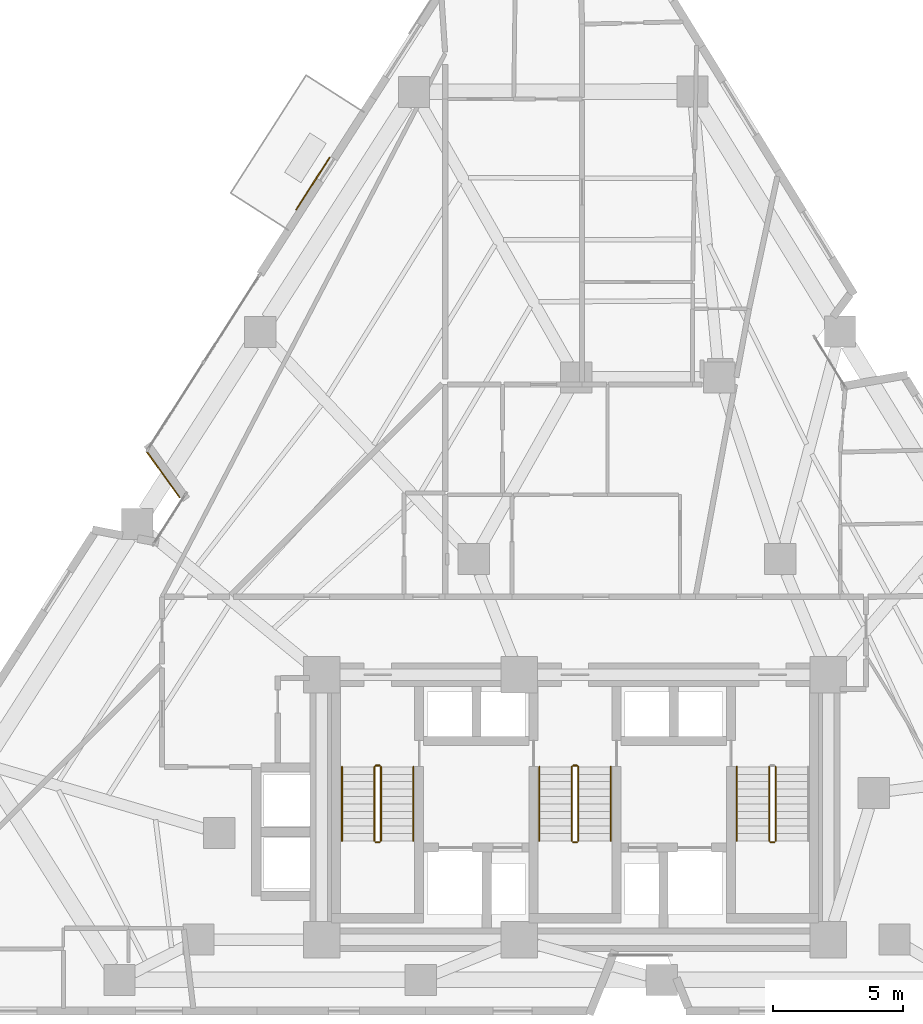
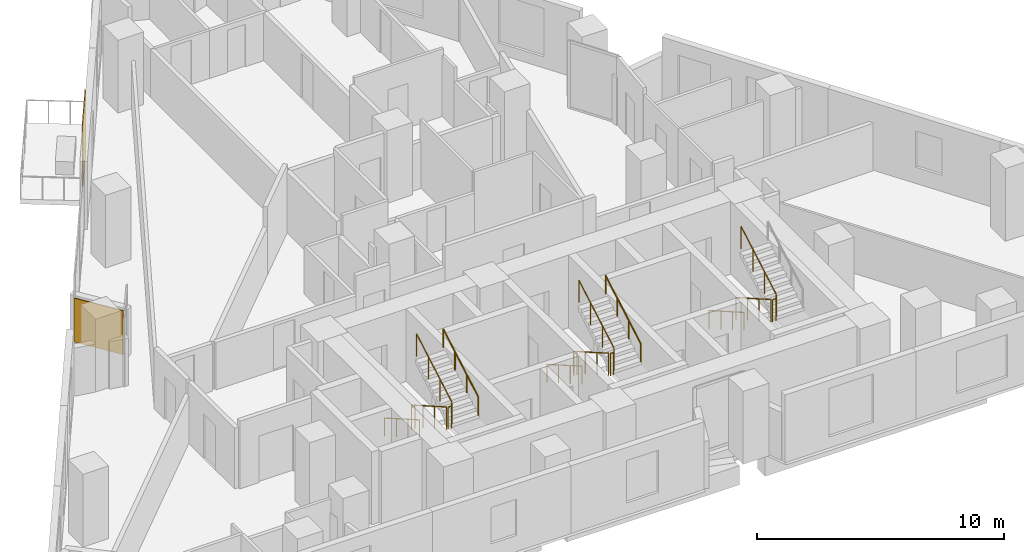
# One storey, part 11 of 13: 16 railings, 2 coverings.
"""IFC4 building model written with IfcOpenShell, lengths in metres."""

from ifc_helpers import new_model, si_unit, direction, frame, origin, origin_2d, place, context, subcontext, project, spatial, rectangle, circle, extrude, material, layer, layer_set, type_object, element, save


model = new_model("IFC4")

# Units and contexts
model_context = context("Model", 3, precision=1e-05, world=origin(), true_north=direction((0.0, 1.0)))
body_context = subcontext(model_context, "Body", "Model", "MODEL_VIEW")
ifc_project = project(units=[si_unit("LENGTHUNIT", "METRE"), si_unit("AREAUNIT", "SQUARE_METRE"), si_unit("VOLUMEUNIT", "CUBIC_METRE"), si_unit("PLANEANGLEUNIT", "RADIAN"), si_unit("MASSUNIT", "GRAM", prefix="KILO")], contexts=[model_context])

# Site, building, storey
site_placement = place(None, origin())
site = spatial("IfcSite", under=ifc_project, at=site_placement, CompositionType="ELEMENT")
building_placement = place(site_placement, origin())
building = spatial("IfcBuilding", under=site, at=building_placement, Name="Almagre Mirador Tower", CompositionType="ELEMENT")
storey_placement = place(building_placement, frame((0.0, 0.0, 78.60009765625)))
storey = spatial("IfcBuildingStorey", under=building, at=storey_placement, Name="L19", CompositionType="ELEMENT", Elevation=78.60009765625)

# Coverings
ifc_material_1 = material(Name="Almagre terracotta architectural cladding", Category="masonry")
ifc_layer = layer(ifc_material_1, 0.044921875)
ifc_layer_set = layer_set([ifc_layer], Name="Almagre terracotta architectural cladding")
covering_type = type_object("IfcCoveringType", Name="COV-CLAD-ALMAGRE", PredefinedType="CLADDING", material=ifc_layer_set)
covering_1_placement = place(storey_placement, frame((21.4404296875, 22.4638671875, 0.10009765625), z_axis=(0.0, 0.0, 1.0), x_axis=(-0.583186817535, 0.812338067466, 0.0)))
element("IfcCovering", 1, at=covering_1_placement, inside=storey, type_object=covering_type, Name="L19 almagre terracotta pier cladding", PredefinedType="CLADDING", context=body_context, shape_type="SweptSolid", body=[
    extrude(rectangle(XDim=2.193115234375, YDim=0.044921875, at=origin_2d()), origin(), (0.0, 0.0, 1.0), 2.175048828125),
])
covering_2_placement = place(storey_placement, frame((27.205322265625, 33.656005859375, 0.099853515625), z_axis=(0.0, 0.0, 1.0), x_axis=(0.53944697543, 0.842019572635, 0.0)))
element("IfcCovering", 2, at=covering_2_placement, inside=storey, type_object=covering_type, Name="L19 almagre terracotta pier cladding", PredefinedType="CLADDING", context=body_context, shape_type="SweptSolid", body=[
    extrude(rectangle(XDim=2.39990234375, YDim=0.044921875, at=origin_2d()), origin(), (0.0, 0.0, 1.0), 3.14990234375),
])

# Railings
ifc_material_2 = material(Name="Painted galvanized steel", Category="steel")
railing_type_1 = type_object("IfcRailingType", Name="RLG-GRD-1100", PredefinedType="GUARDRAIL", material=ifc_material_2)
railing_1_placement = place(storey_placement, frame((29.574951171875, 11.199951171875, 0.16357421875)))
element("IfcRailing", 3, at=railing_1_placement, inside=storey, type_object=railing_type_1, Name="L19 ST-1 stair guard 1", PredefinedType="GUARDRAIL", context=body_context, shape_type="SweptSolid", body=[
    extrude(circle(Radius=0.02392578125, at=origin_2d()), frame((0.0, 0.0, 1.09619140625), z_axis=(0.0, -0.867226363773, 0.497914082927), x_axis=(1.0, 0.0, 0.0)), (0.0, 0.0, 1.0), 3.2861328125),
    extrude(circle(Radius=0.02099609375, at=origin_2d()), origin(), (0.0, 0.0, 1.0), 1.072021484375),
    extrude(circle(Radius=0.02099609375, at=origin_2d()), frame((0.0, -0.949951171875, 0.54541015625)), (0.0, 0.0, 1.0), 1.072021484375),
    extrude(circle(Radius=0.02099609375, at=origin_2d()), frame((0.0, -1.89990234375, 1.0908203125)), (0.0, 0.0, 1.0), 1.072021484375),
    extrude(circle(Radius=0.02099609375, at=origin_2d()), frame((0.0, -2.849853515625, 1.63623046875)), (0.0, 0.0, 1.0), 1.072021484375),
])
railing_2_placement = place(storey_placement, frame((29.625, 8.300048828125, 1.7998046875)))
element("IfcRailing", 4, at=railing_2_placement, inside=storey, type_object=railing_type_1, Name="L19 ST-1 stair guard 2", PredefinedType="GUARDRAIL", context=body_context, shape_type="SweptSolid", body=[
    extrude(circle(Radius=0.02392578125, at=origin_2d()), frame((0.0, 0.0, 1.09619140625), z_axis=(1.0, 0.0, 0.0), x_axis=(0.0, 1.0, 0.0)), (0.0, 0.0, 1.0), 0.14990234375),
    extrude(circle(Radius=0.02099609375, at=origin_2d()), origin(), (0.0, 0.0, 1.0), 1.072021484375),
    extrude(circle(Radius=0.02099609375, at=origin_2d()), frame((0.14990234375, 0.0, 0.0)), (0.0, 0.0, 1.0), 1.072021484375),
])
railing_3_placement = place(storey_placement, frame((29.824951171875, 8.35009765625, 1.963623046875)))
element("IfcRailing", 5, at=railing_3_placement, inside=storey, type_object=railing_type_1, Name="L19 ST-1 stair guard 3", PredefinedType="GUARDRAIL", context=body_context, shape_type="SweptSolid", body=[
    extrude(circle(Radius=0.02392578125, at=origin_2d()), frame((0.0, 0.0, 1.09619140625), z_axis=(0.0, 0.867226363773, 0.497914082927), x_axis=(-1.0, 0.0, 0.0)), (0.0, 0.0, 1.0), 3.2861328125),
    extrude(circle(Radius=0.02099609375, at=origin_2d()), origin(), (0.0, 0.0, 1.0), 1.072021484375),
    extrude(circle(Radius=0.02099609375, at=origin_2d()), frame((0.0, 0.949951171875, 0.54541015625)), (0.0, 0.0, 1.0), 1.072021484375),
    extrude(circle(Radius=0.02099609375, at=origin_2d()), frame((0.0, 1.89990234375, 1.0908203125)), (0.0, 0.0, 1.0), 1.072021484375),
    extrude(circle(Radius=0.02099609375, at=origin_2d()), frame((0.0, 2.849853515625, 1.63623046875)), (0.0, 0.0, 1.0), 1.072021484375),
])
railing_4_placement = place(storey_placement, frame((29.625, 11.25, 0.0)))
element("IfcRailing", 6, at=railing_4_placement, inside=storey, type_object=railing_type_1, Name="L19 ST-1 stair guard 4", PredefinedType="GUARDRAIL", context=body_context, shape_type="SweptSolid", body=[
    extrude(circle(Radius=0.02392578125, at=origin_2d()), frame((0.0, 0.0, 1.09619140625), z_axis=(1.0, 0.0, 0.0), x_axis=(0.0, 1.0, 0.0)), (0.0, 0.0, 1.0), 0.14990234375),
    extrude(circle(Radius=0.02099609375, at=origin_2d()), origin(), (0.0, 0.0, 1.0), 1.072021484375),
    extrude(circle(Radius=0.02099609375, at=origin_2d()), frame((0.14990234375, 0.0, 0.0)), (0.0, 0.0, 1.0), 1.072021484375),
])
railing_5_placement = place(storey_placement, frame((37.175048828125, 11.199951171875, 0.16357421875)))
element("IfcRailing", 7, at=railing_5_placement, inside=storey, type_object=railing_type_1, Name="L19 ST-2 stair guard 1", PredefinedType="GUARDRAIL", context=body_context, shape_type="SweptSolid", body=[
    extrude(circle(Radius=0.02392578125, at=origin_2d()), frame((0.0, 0.0, 1.09619140625), z_axis=(0.0, -0.867226363773, 0.497914082927), x_axis=(1.0, 0.0, 0.0)), (0.0, 0.0, 1.0), 3.2861328125),
    extrude(circle(Radius=0.02099609375, at=origin_2d()), origin(), (0.0, 0.0, 1.0), 1.072021484375),
    extrude(circle(Radius=0.02099609375, at=origin_2d()), frame((0.0, -0.949951171875, 0.54541015625)), (0.0, 0.0, 1.0), 1.072021484375),
    extrude(circle(Radius=0.02099609375, at=origin_2d()), frame((0.0, -1.89990234375, 1.0908203125)), (0.0, 0.0, 1.0), 1.072021484375),
    extrude(circle(Radius=0.02099609375, at=origin_2d()), frame((0.0, -2.849853515625, 1.63623046875)), (0.0, 0.0, 1.0), 1.072021484375),
])
railing_6_placement = place(storey_placement, frame((37.22509765625, 8.300048828125, 1.7998046875)))
element("IfcRailing", 8, at=railing_6_placement, inside=storey, type_object=railing_type_1, Name="L19 ST-2 stair guard 2", PredefinedType="GUARDRAIL", context=body_context, shape_type="SweptSolid", body=[
    extrude(circle(Radius=0.02392578125, at=origin_2d()), frame((0.0, 0.0, 1.09619140625), z_axis=(1.0, 0.0, 0.0), x_axis=(0.0, 1.0, 0.0)), (0.0, 0.0, 1.0), 0.14990234375),
    extrude(circle(Radius=0.02099609375, at=origin_2d()), origin(), (0.0, 0.0, 1.0), 1.072021484375),
    extrude(circle(Radius=0.02099609375, at=origin_2d()), frame((0.14990234375, 0.0, 0.0)), (0.0, 0.0, 1.0), 1.072021484375),
])
railing_7_placement = place(storey_placement, frame((37.425048828125, 8.35009765625, 1.963623046875)))
element("IfcRailing", 9, at=railing_7_placement, inside=storey, type_object=railing_type_1, Name="L19 ST-2 stair guard 3", PredefinedType="GUARDRAIL", context=body_context, shape_type="SweptSolid", body=[
    extrude(circle(Radius=0.02392578125, at=origin_2d()), frame((0.0, 0.0, 1.09619140625), z_axis=(0.0, 0.867226363773, 0.497914082927), x_axis=(-1.0, 0.0, 0.0)), (0.0, 0.0, 1.0), 3.2861328125),
    extrude(circle(Radius=0.02099609375, at=origin_2d()), origin(), (0.0, 0.0, 1.0), 1.072021484375),
    extrude(circle(Radius=0.02099609375, at=origin_2d()), frame((0.0, 0.949951171875, 0.54541015625)), (0.0, 0.0, 1.0), 1.072021484375),
    extrude(circle(Radius=0.02099609375, at=origin_2d()), frame((0.0, 1.89990234375, 1.0908203125)), (0.0, 0.0, 1.0), 1.072021484375),
    extrude(circle(Radius=0.02099609375, at=origin_2d()), frame((0.0, 2.849853515625, 1.63623046875)), (0.0, 0.0, 1.0), 1.072021484375),
])
railing_8_placement = place(storey_placement, frame((37.22509765625, 11.25, 0.0)))
element("IfcRailing", 10, at=railing_8_placement, inside=storey, type_object=railing_type_1, Name="L19 ST-2 stair guard 4", PredefinedType="GUARDRAIL", context=body_context, shape_type="SweptSolid", body=[
    extrude(circle(Radius=0.02392578125, at=origin_2d()), frame((0.0, 0.0, 1.09619140625), z_axis=(1.0, 0.0, 0.0), x_axis=(0.0, 1.0, 0.0)), (0.0, 0.0, 1.0), 0.14990234375),
    extrude(circle(Radius=0.02099609375, at=origin_2d()), origin(), (0.0, 0.0, 1.0), 1.072021484375),
    extrude(circle(Radius=0.02099609375, at=origin_2d()), frame((0.14990234375, 0.0, 0.0)), (0.0, 0.0, 1.0), 1.072021484375),
])
railing_9_placement = place(storey_placement, frame((44.77490234375, 11.199951171875, 0.16357421875)))
element("IfcRailing", 11, at=railing_9_placement, inside=storey, type_object=railing_type_1, Name="L19 ST-3 stair guard 1", PredefinedType="GUARDRAIL", context=body_context, shape_type="SweptSolid", body=[
    extrude(circle(Radius=0.02392578125, at=origin_2d()), frame((0.0, 0.0, 1.09619140625), z_axis=(0.0, -0.867226363773, 0.497914082927), x_axis=(1.0, 0.0, 0.0)), (0.0, 0.0, 1.0), 3.2861328125),
    extrude(circle(Radius=0.02099609375, at=origin_2d()), origin(), (0.0, 0.0, 1.0), 1.072021484375),
    extrude(circle(Radius=0.02099609375, at=origin_2d()), frame((0.0, -0.949951171875, 0.54541015625)), (0.0, 0.0, 1.0), 1.072021484375),
    extrude(circle(Radius=0.02099609375, at=origin_2d()), frame((0.0, -1.89990234375, 1.0908203125)), (0.0, 0.0, 1.0), 1.072021484375),
    extrude(circle(Radius=0.02099609375, at=origin_2d()), frame((0.0, -2.849853515625, 1.63623046875)), (0.0, 0.0, 1.0), 1.072021484375),
])
railing_10_placement = place(storey_placement, frame((44.824951171875, 8.300048828125, 1.7998046875)))
element("IfcRailing", 12, at=railing_10_placement, inside=storey, type_object=railing_type_1, Name="L19 ST-3 stair guard 2", PredefinedType="GUARDRAIL", context=body_context, shape_type="SweptSolid", body=[
    extrude(circle(Radius=0.02392578125, at=origin_2d()), frame((0.0, 0.0, 1.09619140625), z_axis=(1.0, 0.0, 0.0), x_axis=(0.0, 1.0, 0.0)), (0.0, 0.0, 1.0), 0.150146484375),
    extrude(circle(Radius=0.02099609375, at=origin_2d()), origin(), (0.0, 0.0, 1.0), 1.072021484375),
    extrude(circle(Radius=0.02099609375, at=origin_2d()), frame((0.150146484375, 0.0, 0.0)), (0.0, 0.0, 1.0), 1.072021484375),
])
railing_11_placement = place(storey_placement, frame((45.02490234375, 8.35009765625, 1.963623046875)))
element("IfcRailing", 13, at=railing_11_placement, inside=storey, type_object=railing_type_1, Name="L19 ST-3 stair guard 3", PredefinedType="GUARDRAIL", context=body_context, shape_type="SweptSolid", body=[
    extrude(circle(Radius=0.02392578125, at=origin_2d()), frame((0.0, 0.0, 1.09619140625), z_axis=(0.0, 0.867226363773, 0.497914082927), x_axis=(-1.0, 0.0, 0.0)), (0.0, 0.0, 1.0), 3.2861328125),
    extrude(circle(Radius=0.02099609375, at=origin_2d()), origin(), (0.0, 0.0, 1.0), 1.072021484375),
    extrude(circle(Radius=0.02099609375, at=origin_2d()), frame((0.0, 0.949951171875, 0.54541015625)), (0.0, 0.0, 1.0), 1.072021484375),
    extrude(circle(Radius=0.02099609375, at=origin_2d()), frame((0.0, 1.89990234375, 1.0908203125)), (0.0, 0.0, 1.0), 1.072021484375),
    extrude(circle(Radius=0.02099609375, at=origin_2d()), frame((0.0, 2.849853515625, 1.63623046875)), (0.0, 0.0, 1.0), 1.072021484375),
])
ifc_material_3 = material(Name="Brushed stainless steel", Category="steel")
railing_type_2 = type_object("IfcRailingType", Name="RLG-HND-915", PredefinedType="HANDRAIL", material=ifc_material_3)
railing_12_placement = place(storey_placement, frame((28.324951171875, 11.199951171875, 0.16357421875)))
element("IfcRailing", 14, at=railing_12_placement, inside=storey, type_object=railing_type_2, Name="L19 ST-1 stair handrail 1", PredefinedType="HANDRAIL", context=body_context, shape_type="SweptSolid", body=[
    extrude(circle(Radius=0.02392578125, at=origin_2d()), frame((0.0, 0.0, 0.89111328125), z_axis=(0.0, -0.867226363773, 0.497914082927), x_axis=(1.0, 0.0, 0.0)), (0.0, 0.0, 1.0), 3.2861328125),
    extrude(circle(Radius=0.02099609375, at=origin_2d()), origin(), (0.0, 0.0, 1.0), 0.866943359375),
    extrude(circle(Radius=0.02099609375, at=origin_2d()), frame((0.0, -0.949951171875, 0.54541015625)), (0.0, 0.0, 1.0), 0.866943359375),
    extrude(circle(Radius=0.02099609375, at=origin_2d()), frame((0.0, -1.89990234375, 1.0908203125)), (0.0, 0.0, 1.0), 0.866943359375),
    extrude(circle(Radius=0.02099609375, at=origin_2d()), frame((0.0, -2.849853515625, 1.63623046875)), (0.0, 0.0, 1.0), 0.866943359375),
])
railing_13_placement = place(storey_placement, frame((31.074951171875, 8.35009765625, 1.963623046875)))
element("IfcRailing", 15, at=railing_13_placement, inside=storey, type_object=railing_type_2, Name="L19 ST-1 stair handrail 2", PredefinedType="HANDRAIL", context=body_context, shape_type="SweptSolid", body=[
    extrude(circle(Radius=0.02392578125, at=origin_2d()), frame((0.0, 0.0, 0.89111328125), z_axis=(0.0, 0.867226363773, 0.497914082927), x_axis=(-1.0, 0.0, 0.0)), (0.0, 0.0, 1.0), 3.2861328125),
    extrude(circle(Radius=0.02099609375, at=origin_2d()), origin(), (0.0, 0.0, 1.0), 0.866943359375),
    extrude(circle(Radius=0.02099609375, at=origin_2d()), frame((0.0, 0.949951171875, 0.54541015625)), (0.0, 0.0, 1.0), 0.866943359375),
    extrude(circle(Radius=0.02099609375, at=origin_2d()), frame((0.0, 1.89990234375, 1.0908203125)), (0.0, 0.0, 1.0), 0.866943359375),
    extrude(circle(Radius=0.02099609375, at=origin_2d()), frame((0.0, 2.849853515625, 1.63623046875)), (0.0, 0.0, 1.0), 0.866943359375),
])
railing_14_placement = place(storey_placement, frame((35.925048828125, 11.199951171875, 0.16357421875)))
element("IfcRailing", 16, at=railing_14_placement, inside=storey, type_object=railing_type_2, Name="L19 ST-2 stair handrail 1", PredefinedType="HANDRAIL", context=body_context, shape_type="SweptSolid", body=[
    extrude(circle(Radius=0.02392578125, at=origin_2d()), frame((0.0, 0.0, 0.89111328125), z_axis=(0.0, -0.867226363773, 0.497914082927), x_axis=(1.0, 0.0, 0.0)), (0.0, 0.0, 1.0), 3.2861328125),
    extrude(circle(Radius=0.02099609375, at=origin_2d()), origin(), (0.0, 0.0, 1.0), 0.866943359375),
    extrude(circle(Radius=0.02099609375, at=origin_2d()), frame((0.0, -0.949951171875, 0.54541015625)), (0.0, 0.0, 1.0), 0.866943359375),
    extrude(circle(Radius=0.02099609375, at=origin_2d()), frame((0.0, -1.89990234375, 1.0908203125)), (0.0, 0.0, 1.0), 0.866943359375),
    extrude(circle(Radius=0.02099609375, at=origin_2d()), frame((0.0, -2.849853515625, 1.63623046875)), (0.0, 0.0, 1.0), 0.866943359375),
])
railing_15_placement = place(storey_placement, frame((38.675048828125, 8.35009765625, 1.963623046875)))
element("IfcRailing", 17, at=railing_15_placement, inside=storey, type_object=railing_type_2, Name="L19 ST-2 stair handrail 2", PredefinedType="HANDRAIL", context=body_context, shape_type="SweptSolid", body=[
    extrude(circle(Radius=0.02392578125, at=origin_2d()), frame((0.0, 0.0, 0.89111328125), z_axis=(0.0, 0.867226363773, 0.497914082927), x_axis=(-1.0, 0.0, 0.0)), (0.0, 0.0, 1.0), 3.2861328125),
    extrude(circle(Radius=0.02099609375, at=origin_2d()), origin(), (0.0, 0.0, 1.0), 0.866943359375),
    extrude(circle(Radius=0.02099609375, at=origin_2d()), frame((0.0, 0.949951171875, 0.54541015625)), (0.0, 0.0, 1.0), 0.866943359375),
    extrude(circle(Radius=0.02099609375, at=origin_2d()), frame((0.0, 1.89990234375, 1.0908203125)), (0.0, 0.0, 1.0), 0.866943359375),
    extrude(circle(Radius=0.02099609375, at=origin_2d()), frame((0.0, 2.849853515625, 1.63623046875)), (0.0, 0.0, 1.0), 0.866943359375),
])
railing_16_placement = place(storey_placement, frame((43.52490234375, 11.199951171875, 0.16357421875)))
element("IfcRailing", 18, at=railing_16_placement, inside=storey, type_object=railing_type_2, Name="L19 ST-3 stair handrail 1", PredefinedType="HANDRAIL", context=body_context, shape_type="SweptSolid", body=[
    extrude(circle(Radius=0.02392578125, at=origin_2d()), frame((0.0, 0.0, 0.89111328125), z_axis=(0.0, -0.867226363773, 0.497914082927), x_axis=(1.0, 0.0, 0.0)), (0.0, 0.0, 1.0), 3.2861328125),
    extrude(circle(Radius=0.02099609375, at=origin_2d()), origin(), (0.0, 0.0, 1.0), 0.866943359375),
    extrude(circle(Radius=0.02099609375, at=origin_2d()), frame((0.0, -0.949951171875, 0.54541015625)), (0.0, 0.0, 1.0), 0.866943359375),
    extrude(circle(Radius=0.02099609375, at=origin_2d()), frame((0.0, -1.89990234375, 1.0908203125)), (0.0, 0.0, 1.0), 0.866943359375),
    extrude(circle(Radius=0.02099609375, at=origin_2d()), frame((0.0, -2.849853515625, 1.63623046875)), (0.0, 0.0, 1.0), 0.866943359375),
])

save(model, "model.ifc")
